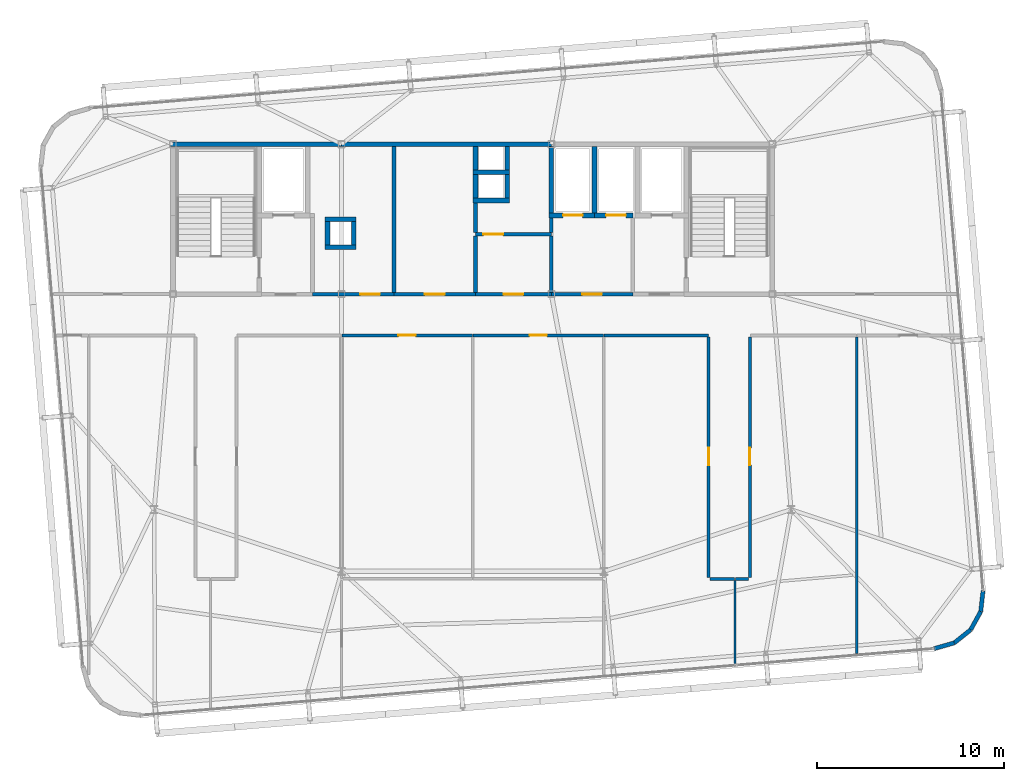
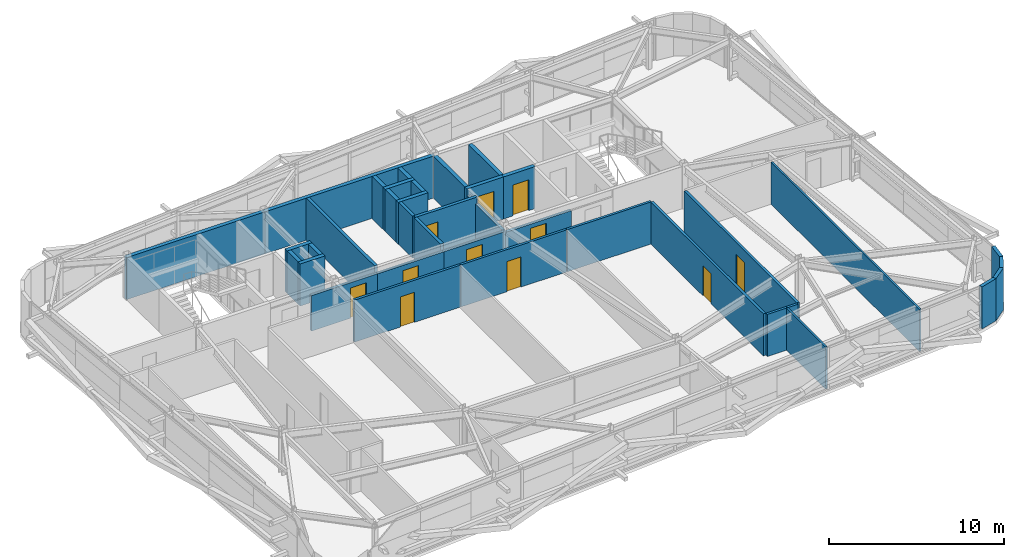
# One storey, part 36 of 39: 39 walls, 11 doors, 11 openings.
"""IFC4 building model written with IfcOpenShell, lengths in metres."""

from ifc_helpers import new_model, si_unit, direction, frame, frame_2d, origin, place, context, subcontext, project, spatial, rectangle, extrude, source, transform, mapped, material, layer, layer_set, type_object, element, fill, save


model = new_model("IFC4")

# Units and contexts
model_context = context("Model", 3, precision=1e-05, world=origin(), true_north=direction((0.0, 1.0)))
body_context = subcontext(model_context, "Body", "Model", "MODEL_VIEW")
ifc_project = project(units=[si_unit("LENGTHUNIT", "METRE"), si_unit("AREAUNIT", "SQUARE_METRE"), si_unit("VOLUMEUNIT", "CUBIC_METRE"), si_unit("PLANEANGLEUNIT", "RADIAN"), si_unit("MASSUNIT", "GRAM", prefix="KILO")], contexts=[model_context])

# Site, building, storey
site_placement = place(None, origin())
site = spatial("IfcSite", under=ifc_project, at=site_placement, CompositionType="ELEMENT")
building_placement = place(site_placement, origin())
building = spatial("IfcBuilding", under=site, at=building_placement, Name="Taldren Reach Tower", CompositionType="ELEMENT")
storey_placement = place(building_placement, frame((0.0, 0.0, 175.699951171875)))
storey = spatial("IfcBuildingStorey", under=building, at=storey_placement, Name="L53", CompositionType="ELEMENT", Elevation=175.699951171875)

# Walls
ifc_material_1 = material(Name="Pale Champagne Anodised Aluminium Cladding", Category="aluminium")
ifc_layer_1 = layer(ifc_material_1, 0.04, Name="Pale Champagne Anodised Aluminium Cladding", Category="aluminium")
ifc_material_2 = material(Name="Mineral Wool Acoustic Insulation", Category="insulation")
ifc_layer_2 = layer(ifc_material_2, 0.06, Name="Mineral Wool Acoustic Insulation", Category="insulation")
ifc_material_3 = material(Name="Steel Gr 350 (C350L0)", Category="steel")
ifc_layer_3 = layer(ifc_material_3, 0.12, Name="Steel Gr 350 (C350L0)", Category="steel")
ifc_layer_set_1 = layer_set([ifc_layer_1, ifc_layer_2, ifc_layer_3], Name="Pale Champagne Aluminium Cladding and Steel Gr 350 Stud Framing")
wall_type_1 = type_object("IfcWallType", Name="EW-CRN-220", PredefinedType="SOLIDWALL", material=ifc_layer_set_1)
shared_shape_1 = source(origin(), body_context, "Body", "SweptSolid", [
    extrude(rectangle(XDim=1.115966796875, YDim=0.219970703125, at=frame_2d((0.55810546875, 0.0))), origin(), (0.0, 0.0, 1.0), 2.929931640625),
])
for number, where, z_axis, x_axis, name in (
    (1, (59.635986328125, 5.0751953125, 0.0), (0.0, 0.0, 1.0), (0.961010464297, 0.276512002475, 0.0), "Rounded-corner pale-metal facade wall L53-SE1"),
    (2, (60.70849609375, 5.3837890625, 0.0), (0.0, 0.0, 1.0), (0.782147847222, 0.623092886403, 0.0), "Rounded-corner pale-metal facade wall L53-SE2"),
    (3, (61.581298828125, 6.0791015625, 0.0), (0.0, 0.0, 1.0), (0.483933071672, 0.875105012065, 0.0), "Rounded-corner pale-metal facade wall L53-SE3"),
    (4, (62.121337890625, 7.0556640625, 0.0), (0.0, 0.0, 1.0), (0.112448259968, 0.993657581277, 0.0), "Rounded-corner pale-metal facade wall L53-SE4"),
):
    element("IfcWall", number, at=place(storey_placement, frame(where, z_axis=z_axis, x_axis=x_axis)), inside=storey, type_object=wall_type_1, Name=name, PredefinedType="SOLIDWALL", context=body_context, shape_type="MappedRepresentation", body=[
        mapped(shared_shape_1, transform((0.0, 0.0, 0.0), scale=1.0)),
    ])

# Wall, opening, door
ifc_material_4 = material(Name="Concrete S50 (50 MPa)", Category="concrete")
ifc_layer_4 = layer(ifc_material_4, 0.199951171875)
ifc_layer_set_2 = layer_set([ifc_layer_4], Name="Concrete S50 (50 MPa)")
wall_type_2 = type_object("IfcWallType", Name="IW-CORE-200", PredefinedType="SOLIDWALL", material=ifc_layer_set_2)
shared_shape_2 = source(origin(), body_context, "Body", "SweptSolid", [
    extrude(rectangle(XDim=4.35009765625, YDim=0.199951171875, at=frame_2d((2.175048828125, 0.0))), origin(), (0.0, 0.0, 1.0), 2.469970703125),
])
wall_1_placement = place(storey_placement, frame((30.800048828125, 24.0, 0.0), z_axis=(0.0, 0.0, 1.0), x_axis=(-1.0, 0.0, 0.0)))
wall_1 = element("IfcWall", 5, at=wall_1_placement, inside=storey, type_object=wall_type_2, Name="Rear Core Shear Wall W-INT-L53-033", PredefinedType="SOLIDWALL", context=body_context, shape_type="MappedRepresentation", body=[
    mapped(shared_shape_2, transform((0.0, 0.0, 0.0), scale=1.0)),
])
shared_shape_3 = source(origin(), body_context, "Body", "SweptSolid", [
    extrude(rectangle(XDim=1.050048828125, YDim=2.10009765625, at=frame_2d((0.52490234375, 1.050048828125))), frame((0.0, 0.10986328125, 0.0), z_axis=(0.0, -1.0, 0.0), x_axis=(1.0, 0.0, 0.0)), (0.0, 0.0, 1.0), 0.219970703125),
])
opening_1_placement = place(wall_1_placement, frame((0.75, 0.0, 0.0)))
opening_1 = element("IfcOpeningElement", 6, at=opening_1_placement, cuts=wall_1, Name="Opening DF-105", PredefinedType="OPENING", context=body_context, shape_type="MappedRepresentation", body=[
    mapped(shared_shape_3, transform((0.0, 0.0, 0.0), scale=1.0)),
])
ifc_material_5 = material(Name="Fire-Rated Care and Stair Exit Door")
door_type_1 = type_object("IfcDoorType", Name="ID-FIRE-105", OperationType="NOTDEFINED", PredefinedType="DOOR", material=ifc_material_5)
shared_shape_4 = source(origin(), body_context, "Body", "SweptSolid", [
    extrude(rectangle(XDim=1.050048828125, YDim=2.10009765625, at=frame_2d((0.52490234375, 1.050048828125))), frame((0.0, 0.02490234375, 0.0), z_axis=(0.0, -1.0, 0.0), x_axis=(1.0, 0.0, 0.0)), (0.0, 0.0, 1.0), 0.050048828125),
])
door_1_placement = place(opening_1_placement, frame((1.050048828125, 0.0, 0.0), z_axis=(0.0, 0.0, 1.0), x_axis=(-1.0, 0.0, 0.0)))
door_1 = element("IfcDoor", 7, at=door_1_placement, inside=storey, type_object=door_type_1, Name="Interior Door DR-L53-006", OperationType="SINGLE_SWING_RIGHT", OverallHeight=2.10009765625, OverallWidth=1.050048828125, PredefinedType="DOOR", context=body_context, shape_type="MappedRepresentation", body=[
    mapped(shared_shape_4, transform((0.0, 0.0, 0.0), scale=1.0)),
])
fill(opening_1, door_1)

shared_shape_5 = source(origin(), body_context, "Body", "SweptSolid", [
    extrude(rectangle(XDim=4.35009765625, YDim=0.199951171875, at=frame_2d((2.175048828125, 0.0))), origin(), (0.0, 0.0, 1.0), 2.39697265625),
])
wall_2_placement = place(storey_placement, frame((43.550048828125, 24.0, 0.0), z_axis=(0.0, 0.0, 1.0), x_axis=(-1.0, 0.0, 0.0)))
wall_2 = element("IfcWall", 8, at=wall_2_placement, inside=storey, type_object=wall_type_2, Name="Rear Core Shear Wall W-INT-L53-031", PredefinedType="SOLIDWALL", context=body_context, shape_type="MappedRepresentation", body=[
    mapped(shared_shape_5, transform((0.0, 0.0, 0.0), scale=1.0)),
])
opening_2_placement = place(wall_2_placement, frame((1.64990234375, 0.0, 0.0)))
opening_2 = element("IfcOpeningElement", 9, at=opening_2_placement, cuts=wall_2, Name="Opening DF-105", PredefinedType="OPENING", context=body_context, shape_type="MappedRepresentation", body=[
    mapped(shared_shape_3, transform((0.0, 0.0, 0.0), scale=1.0)),
])
door_2_placement = place(opening_2_placement, frame((1.050048828125, 0.0, 0.0), z_axis=(0.0, 0.0, 1.0), x_axis=(-1.0, 0.0, 0.0)))
door_2 = element("IfcDoor", 10, at=door_2_placement, inside=storey, type_object=door_type_1, Name="Interior Door DR-L53-005", OperationType="SINGLE_SWING_LEFT", OverallHeight=2.10009765625, OverallWidth=1.050048828125, PredefinedType="DOOR", context=body_context, shape_type="MappedRepresentation", body=[
    mapped(shared_shape_4, transform((0.0, 0.0, 0.0), scale=1.0)),
])
fill(opening_2, door_2)

shared_shape_6 = source(origin(), body_context, "Body", "SweptSolid", [
    extrude(rectangle(XDim=4.349853515625, YDim=0.199951171875, at=frame_2d((2.1748046875, 0.0))), origin(), (0.0, 0.0, 1.0), 2.469970703125),
])
wall_3_placement = place(storey_placement, frame((35.14990234375, 24.0, 0.0), z_axis=(0.0, 0.0, 1.0), x_axis=(-1.0, 0.0, 0.0)))
wall_3 = element("IfcWall", 11, at=wall_3_placement, inside=storey, type_object=wall_type_2, Name="Rear Core Shear Wall W-INT-L53-036", PredefinedType="SOLIDWALL", context=body_context, shape_type="MappedRepresentation", body=[
    mapped(shared_shape_6, transform((0.0, 0.0, 0.0), scale=1.0)),
])
opening_3_placement = place(wall_3_placement, frame((1.64990234375, 0.0, 0.0)))
opening_3 = element("IfcOpeningElement", 12, at=opening_3_placement, cuts=wall_3, Name="Opening DF-105", PredefinedType="OPENING", context=body_context, shape_type="MappedRepresentation", body=[
    mapped(shared_shape_3, transform((0.0, 0.0, 0.0), scale=1.0)),
])
door_3_placement = place(opening_3_placement, frame((1.050048828125, 0.0, 0.0), z_axis=(0.0, 0.0, 1.0), x_axis=(-1.0, 0.0, 0.0)))
door_3 = element("IfcDoor", 13, at=door_3_placement, inside=storey, type_object=door_type_1, Name="Interior Door DR-L53-007", OperationType="SINGLE_SWING_LEFT", OverallHeight=2.10009765625, OverallWidth=1.050048828125, PredefinedType="DOOR", context=body_context, shape_type="MappedRepresentation", body=[
    mapped(shared_shape_4, transform((0.0, 0.0, 0.0), scale=1.0)),
])
fill(opening_3, door_3)

# Walls
shared_shape_7 = source(origin(), body_context, "Body", "SweptSolid", [
    extrude(rectangle(XDim=3.0, YDim=0.199951171875, at=frame_2d((1.5, 0.0))), origin(), (0.0, 0.0, 1.0), 2.469970703125),
])
wall_4_placement = place(storey_placement, frame((39.199951171875, 24.10009765625, 0.0), z_axis=(0.0, 0.0, 1.0), x_axis=(0.0, 1.0, 0.0)))
element("IfcWall", 14, at=wall_4_placement, inside=storey, type_object=wall_type_2, Name="Rear Core Shear Wall W-INT-L53-029", PredefinedType="SOLIDWALL", context=body_context, shape_type="MappedRepresentation", body=[
    mapped(shared_shape_7, transform((0.0, 0.0, 0.0), scale=1.0)),
])
ifc_material_6 = material(Name="Fire-Rated Acoustic Plasterboard Stud Wall", Category="gypsum")
ifc_layer_5 = layer(ifc_material_6, 0.159912109375)
ifc_layer_set_3 = layer_set([ifc_layer_5], Name="Fire-Rated Acoustic Plasterboard Stud Wall")
wall_type_3 = type_object("IfcWallType", Name="IW-FIRE-160", PredefinedType="PARTITIONING", material=ifc_layer_set_3)
shared_shape_8 = source(origin(), body_context, "Body", "SweptSolid", [
    extrude(rectangle(XDim=1.2998046875, YDim=0.159912109375, at=frame_2d((0.64990234375, 0.0))), origin(), (0.0, 0.0, 1.0), 2.929931640625),
])
wall_5_placement = place(storey_placement, frame((48.979736328125, 8.800048828125, 0.0), z_axis=(0.0, 0.0, 1.0), x_axis=(-1.0, 0.0, 0.0)))
element("IfcWall", 15, at=wall_5_placement, inside=storey, type_object=wall_type_3, Name="Interior Partition Wall W-INT-L53-052", PredefinedType="PARTITIONING", context=body_context, shape_type="MappedRepresentation", body=[
    mapped(shared_shape_8, transform((0.0, 0.0, 0.0), scale=1.0)),
])
shared_shape_9 = source(origin(), body_context, "Body", "SweptSolid", [
    extrude(rectangle(XDim=0.69970703125, YDim=0.159912109375, at=frame_2d((0.349853515625, 0.0))), origin(), (0.0, 0.0, 1.0), 2.929931640625),
])
wall_6_placement = place(storey_placement, frame((49.719970703125, 8.800048828125, 0.0), z_axis=(0.0, 0.0, 1.0), x_axis=(-1.0, 0.0, 0.0)))
element("IfcWall", 16, at=wall_6_placement, inside=storey, type_object=wall_type_3, Name="Interior Partition Wall W-INT-L53-055", PredefinedType="PARTITIONING", context=body_context, shape_type="MappedRepresentation", body=[
    mapped(shared_shape_9, transform((0.0, 0.0, 0.0), scale=1.0)),
])

# Wall, opening, door
shared_shape_10 = source(origin(), body_context, "Body", "SweptSolid", [
    extrude(rectangle(XDim=6.95947265625, YDim=0.159912109375, at=frame_2d((3.479736328125, 0.0))), origin(), (0.0, 0.0, 1.0), 2.929931640625),
])
wall_7_placement = place(storey_placement, frame((34.979736328125, 21.800048828125, 0.0), z_axis=(0.0, 0.0, 1.0), x_axis=(-1.0, 0.0, 0.0)))
wall_7 = element("IfcWall", 17, at=wall_7_placement, inside=storey, type_object=wall_type_3, Name="Interior Partition Wall W-INT-L53-047", PredefinedType="PARTITIONING", context=body_context, shape_type="MappedRepresentation", body=[
    mapped(shared_shape_10, transform((0.0, 0.0, 0.0), scale=1.0)),
])
shared_shape_11 = source(origin(), body_context, "Body", "SweptSolid", [
    extrude(rectangle(XDim=0.919921875, YDim=2.10009765625, at=frame_2d((0.4599609375, 1.050048828125))), frame((0.0, 0.08984375, 0.0), z_axis=(0.0, -1.0, 0.0), x_axis=(1.0, 0.0, 0.0)), (0.0, 0.0, 1.0), 0.179931640625),
])
opening_4_placement = place(wall_7_placement, frame((3.019775390625, 0.0, 0.0)))
opening_4 = element("IfcOpeningElement", 18, at=opening_4_placement, cuts=wall_7, Name="Opening DI-092", PredefinedType="OPENING", context=body_context, shape_type="MappedRepresentation", body=[
    mapped(shared_shape_11, transform((0.0, 0.0, 0.0), scale=1.0)),
])
ifc_material_7 = material(Name="Solid-Core Timber Suite Door", Category="wood")
door_type_2 = type_object("IfcDoorType", Name="ID-INT-092", OperationType="NOTDEFINED", PredefinedType="DOOR", material=ifc_material_7)
shared_shape_12 = source(origin(), body_context, "Body", "SweptSolid", [
    extrude(rectangle(XDim=0.919921875, YDim=2.10009765625, at=frame_2d((0.4599609375, 1.050048828125))), frame((0.0, 0.02490234375, 0.0), z_axis=(0.0, -1.0, 0.0), x_axis=(1.0, 0.0, 0.0)), (0.0, 0.0, 1.0), 0.050048828125),
])
door_4_placement = place(opening_4_placement, origin())
door_4 = element("IfcDoor", 19, at=door_4_placement, inside=storey, type_object=door_type_2, Name="Interior Door DR-L53-014", OperationType="SINGLE_SWING_LEFT", OverallHeight=2.10009765625, OverallWidth=0.919921875, PredefinedType="DOOR", context=body_context, shape_type="MappedRepresentation", body=[
    mapped(shared_shape_12, transform((0.0, 0.0, 0.0), scale=1.0)),
])
fill(opening_4, door_4)

wall_8_placement = place(storey_placement, frame((41.979736328125, 21.800048828125, 0.0), z_axis=(0.0, 0.0, 1.0), x_axis=(-1.0, 0.0, 0.0)))
wall_8 = element("IfcWall", 20, at=wall_8_placement, inside=storey, type_object=wall_type_3, Name="Interior Partition Wall W-INT-L53-049", PredefinedType="PARTITIONING", context=body_context, shape_type="MappedRepresentation", body=[
    mapped(shared_shape_10, transform((0.0, 0.0, 0.0), scale=1.0)),
])
opening_5_placement = place(wall_8_placement, frame((3.019775390625, 0.0, 0.0)))
opening_5 = element("IfcOpeningElement", 21, at=opening_5_placement, cuts=wall_8, Name="Opening DI-092", PredefinedType="OPENING", context=body_context, shape_type="MappedRepresentation", body=[
    mapped(shared_shape_11, transform((0.0, 0.0, 0.0), scale=1.0)),
])
door_5_placement = place(opening_5_placement, origin())
door_5 = element("IfcDoor", 22, at=door_5_placement, inside=storey, type_object=door_type_2, Name="Interior Door DR-L53-016", OperationType="SINGLE_SWING_LEFT", OverallHeight=2.10009765625, OverallWidth=0.919921875, PredefinedType="DOOR", context=body_context, shape_type="MappedRepresentation", body=[
    mapped(shared_shape_12, transform((0.0, 0.0, 0.0), scale=1.0)),
])
fill(opening_5, door_5)

# Walls
ifc_material_8 = material(Name="Concrete S65 (65 MPa)", Category="concrete")
ifc_layer_6 = layer(ifc_material_8, 0.25)
ifc_layer_set_4 = layer_set([ifc_layer_6], Name="Concrete S65 (65 MPa)")
wall_type_4 = type_object("IfcWallType", Name="IW-CORE-250", PredefinedType="SHEAR", material=ifc_layer_set_4)
shared_shape_13 = source(origin(), body_context, "Body", "SweptSolid", [
    extrude(rectangle(XDim=9.125, YDim=0.25, at=frame_2d((4.5625, 0.0))), origin(), (0.0, 0.0, 1.0), 2.929931640625),
])
wall_9_placement = place(storey_placement, frame((18.875, 32.0, 0.0), z_axis=(0.0, 0.0, 1.0), x_axis=(1.0, 0.0, 0.0)))
element("IfcWall", 23, at=wall_9_placement, inside=storey, type_object=wall_type_4, Name="Rear Core Shear Wall W-CORE-L53-NORTH1", PredefinedType="SHEAR", context=body_context, shape_type="MappedRepresentation", body=[
    mapped(shared_shape_13, transform((0.0, 0.0, 0.0), scale=1.0)),
])
shared_shape_14 = source(origin(), body_context, "Body", "SweptSolid", [
    extrude(rectangle(XDim=11.199951171875, YDim=0.25, at=frame_2d((5.60009765625, 0.0))), origin(), (0.0, 0.0, 1.0), 2.929931640625),
])
wall_10_placement = place(storey_placement, frame((28.0, 32.0, 0.0), z_axis=(0.0, 0.0, 1.0), x_axis=(1.0, 0.0, 0.0)))
element("IfcWall", 24, at=wall_10_placement, inside=storey, type_object=wall_type_4, Name="Rear Core Shear Wall W-CORE-L53-NORTH2", PredefinedType="SHEAR", context=body_context, shape_type="MappedRepresentation", body=[
    mapped(shared_shape_14, transform((0.0, 0.0, 0.0), scale=1.0)),
])
shared_shape_15 = source(origin(), body_context, "Body", "SweptSolid", [
    extrude(rectangle(XDim=3.550048828125, YDim=0.25, at=frame_2d((1.77490234375, 0.0))), origin(), (0.0, 0.0, 1.0), 2.929931640625),
])
for number, where, z_axis, x_axis, name in (
    (25, (41.5, 28.324951171875, 0.0), (0.0, 0.0, 1.0), (0.0, 1.0, 0.0), "Rear Core Shear Wall W-INT-L53-025"),
    (26, (39.199951171875, 31.875, 0.0), (0.0, 0.0, 1.0), (0.0, -1.0, 0.0), "Rear Core Shear Wall W-INT-L53-027"),
):
    element("IfcWall", number, at=place(storey_placement, frame(where, z_axis=z_axis, x_axis=x_axis)), inside=storey, type_object=wall_type_4, Name=name, PredefinedType="SHEAR", context=body_context, shape_type="MappedRepresentation", body=[
        mapped(shared_shape_15, transform((0.0, 0.0, 0.0), scale=1.0)),
    ])
shared_shape_16 = source(origin(), body_context, "Body", "SweptSolid", [
    extrude(rectangle(XDim=1.9501953125, YDim=0.25, at=frame_2d((0.97509765625, 0.0))), origin(), (0.0, 0.0, 1.0), 2.929931640625),
])
for number, where, z_axis, x_axis, name in (
    (27, (35.02490234375, 30.5, 0.0), (0.0, 0.0, 1.0), (1.0, 0.0, 0.0), "Rear Core Shear Wall W-INT-L53-015"),
    (28, (35.02490234375, 29.0, 0.0), (0.0, 0.0, 1.0), (1.0, 0.0, 0.0), "Rear Core Shear Wall W-INT-L53-019"),
):
    element("IfcWall", number, at=place(storey_placement, frame(where, z_axis=z_axis, x_axis=x_axis)), inside=storey, type_object=wall_type_4, Name=name, PredefinedType="SHEAR", context=body_context, shape_type="MappedRepresentation", body=[
        mapped(shared_shape_16, transform((0.0, 0.0, 0.0), scale=1.0)),
    ])
shared_shape_17 = source(origin(), body_context, "Body", "SweptSolid", [
    extrude(rectangle(XDim=1.25, YDim=0.25, at=frame_2d((0.625, 0.0))), origin(), (0.0, 0.0, 1.0), 2.929931640625),
])
for number, where, z_axis, x_axis, name in (
    (29, (35.14990234375, 31.875, 0.0), (0.0, 0.0, 1.0), (0.0, -1.0, 0.0), "Rear Core Shear Wall W-INT-L53-016"),
    (30, (36.85009765625, 30.625, 0.0), (0.0, 0.0, 1.0), (0.0, 1.0, 0.0), "Rear Core Shear Wall W-INT-L53-017"),
    (31, (35.14990234375, 30.375, 0.0), (0.0, 0.0, 1.0), (0.0, -1.0, 0.0), "Rear Core Shear Wall W-INT-L53-018"),
    (32, (36.85009765625, 29.125, 0.0), (0.0, 0.0, 1.0), (0.0, 1.0, 0.0), "Rear Core Shear Wall W-INT-L53-020"),
    (33, (28.64990234375, 26.625, 0.0), (0.0, 0.0, 1.0), (0.0, 1.0, 0.0), "Rear Core Shear Wall W-INT-L53-021"),
    (34, (27.25, 27.875, 0.0), (0.0, 0.0, 1.0), (0.0, -1.0, 0.0), "Rear Core Shear Wall W-INT-L53-022"),
):
    element("IfcWall", number, at=place(storey_placement, frame(where, z_axis=z_axis, x_axis=x_axis)), inside=storey, type_object=wall_type_4, Name=name, PredefinedType="SHEAR", context=body_context, shape_type="MappedRepresentation", body=[
        mapped(shared_shape_17, transform((0.0, 0.0, 0.0), scale=1.0)),
    ])
shared_shape_18 = source(origin(), body_context, "Body", "SweptSolid", [
    extrude(rectangle(XDim=1.64990234375, YDim=0.25, at=frame_2d((0.824951171875, 0.0))), origin(), (0.0, 0.0, 1.0), 2.929931640625),
])
for number, where, z_axis, x_axis, name in (
    (35, (28.77490234375, 28.0, 0.0), (0.0, 0.0, 1.0), (-1.0, 0.0, 0.0), "Rear Core Shear Wall W-INT-L53-023"),
    (36, (27.125, 26.5, 0.0), (0.0, 0.0, 1.0), (1.0, 0.0, 0.0), "Rear Core Shear Wall W-INT-L53-024"),
):
    element("IfcWall", number, at=place(storey_placement, frame(where, z_axis=z_axis, x_axis=x_axis)), inside=storey, type_object=wall_type_4, Name=name, PredefinedType="SHEAR", context=body_context, shape_type="MappedRepresentation", body=[
        mapped(shared_shape_18, transform((0.0, 0.0, 0.0), scale=1.0)),
    ])

# Wall, opening, door
shared_shape_19 = source(origin(), body_context, "Body", "SweptSolid", [
    extrude(rectangle(XDim=2.425048828125, YDim=0.25, at=frame_2d((1.21240234375, 0.0))), origin(), (0.0, 0.0, 1.0), 2.929931640625),
])
wall_11_placement = place(storey_placement, frame((39.074951171875, 28.199951171875, 0.0), z_axis=(0.0, 0.0, 1.0), x_axis=(1.0, 0.0, 0.0)))
wall_11 = element("IfcWall", 37, at=wall_11_placement, inside=storey, type_object=wall_type_4, Name="Rear Core Shear Wall W-INT-L53-026", PredefinedType="SHEAR", context=body_context, shape_type="MappedRepresentation", body=[
    mapped(shared_shape_19, transform((0.0, 0.0, 0.0), scale=1.0)),
])
shared_shape_20 = source(origin(), body_context, "Body", "SweptSolid", [
    extrude(rectangle(XDim=1.050048828125, YDim=2.14990234375, at=frame_2d((0.52490234375, 1.074951171875))), frame((0.0, 0.135009765625, 0.0), z_axis=(0.0, -1.0, 0.0), x_axis=(1.0, 0.0, 0.0)), (0.0, 0.0, 1.0), 0.27001953125),
])
opening_6_placement = place(wall_11_placement, frame((0.75, 0.0, 0.0)))
opening_6 = element("IfcOpeningElement", 38, at=opening_6_placement, cuts=wall_11, Name="Opening LD-PH1", PredefinedType="OPENING", context=body_context, shape_type="MappedRepresentation", body=[
    mapped(shared_shape_20, transform((0.0, 0.0, 0.0), scale=1.0)),
])
ifc_material_9 = material(Name="Stainless Steel Gr 316 Passenger Lift Landing Door", Category="steel")
door_type_3 = type_object("IfcDoorType", Name="LD-PAS-105", OperationType="SLIDING_TO_LEFT", PredefinedType="DOOR", material=ifc_material_9)
shared_shape_21 = source(origin(), body_context, "Body", "SweptSolid", [
    extrude(rectangle(XDim=1.050048828125, YDim=2.14990234375, at=frame_2d((0.52490234375, 1.074951171875))), frame((0.0, 0.02490234375, 0.0), z_axis=(0.0, -1.0, 0.0), x_axis=(1.0, 0.0, 0.0)), (0.0, 0.0, 1.0), 0.050048828125),
])
door_6_placement = place(opening_6_placement, origin())
door_6 = element("IfcDoor", 39, at=door_6_placement, inside=storey, type_object=door_type_3, Name="Lift Landing Door LD-PH1-L53", OperationType="SLIDING_TO_LEFT", OverallHeight=2.14990234375, OverallWidth=1.050048828125, PredefinedType="DOOR", context=body_context, shape_type="MappedRepresentation", body=[
    mapped(shared_shape_21, transform((0.0, 0.0, 0.0), scale=1.0)),
])
fill(opening_6, door_6)

shared_shape_22 = source(origin(), body_context, "Body", "SweptSolid", [
    extrude(rectangle(XDim=2.070068359375, YDim=0.25, at=frame_2d((1.03515625, 0.0))), origin(), (0.0, 0.0, 1.0), 2.929931640625),
])
wall_12_placement = place(storey_placement, frame((41.5, 28.199951171875, 0.0), z_axis=(0.0, 0.0, 1.0), x_axis=(1.0, 0.0, 0.0)))
wall_12 = element("IfcWall", 40, at=wall_12_placement, inside=storey, type_object=wall_type_4, Name="Rear Core Shear Wall W-INT-L53-028", PredefinedType="SHEAR", context=body_context, shape_type="MappedRepresentation", body=[
    mapped(shared_shape_22, transform((0.0, 0.0, 0.0), scale=1.0)),
])
opening_7_placement = place(wall_12_placement, frame((0.625, 0.0, 0.0)))
opening_7 = element("IfcOpeningElement", 41, at=opening_7_placement, cuts=wall_12, Name="Opening LD-PH2", PredefinedType="OPENING", context=body_context, shape_type="MappedRepresentation", body=[
    mapped(shared_shape_20, transform((0.0, 0.0, 0.0), scale=1.0)),
])
door_7_placement = place(opening_7_placement, origin())
door_7 = element("IfcDoor", 42, at=door_7_placement, inside=storey, type_object=door_type_3, Name="Lift Landing Door LD-PH2-L53", OperationType="SLIDING_TO_LEFT", OverallHeight=2.14990234375, OverallWidth=1.050048828125, PredefinedType="DOOR", context=body_context, shape_type="MappedRepresentation", body=[
    mapped(shared_shape_21, transform((0.0, 0.0, 0.0), scale=1.0)),
])
fill(opening_7, door_7)

# Walls
shared_shape_23 = source(origin(), body_context, "Body", "SweptSolid", [
    extrude(rectangle(XDim=0.77490234375, YDim=0.199951171875, at=frame_2d((0.387451171875, 0.0))), origin(), (0.0, 0.0, 1.0), 2.469970703125),
])
wall_13_placement = place(storey_placement, frame((39.199951171875, 27.300048828125, 0.0), z_axis=(0.0, 0.0, 1.0), x_axis=(0.0, 1.0, 0.0)))
element("IfcWall", 43, at=wall_13_placement, inside=storey, type_object=wall_type_2, Name="Rear Core Shear Wall W-INT-L53-030", PredefinedType="SOLIDWALL", context=body_context, shape_type="MappedRepresentation", body=[
    mapped(shared_shape_23, transform((0.0, 0.0, 0.0), scale=1.0)),
])
shared_shape_24 = source(origin(), body_context, "Body", "SweptSolid", [
    extrude(rectangle(XDim=7.77490234375, YDim=0.199951171875, at=frame_2d((3.887451171875, 0.0))), origin(), (0.0, 0.0, 1.0), 2.929931640625),
])
wall_14_placement = place(storey_placement, frame((30.800048828125, 31.875, 0.0), z_axis=(0.0, 0.0, 1.0), x_axis=(0.0, -1.0, 0.0)))
element("IfcWall", 44, at=wall_14_placement, inside=storey, type_object=wall_type_2, Name="Rear Core Shear Wall W-INT-L53-032", PredefinedType="SOLIDWALL", context=body_context, shape_type="MappedRepresentation", body=[
    mapped(shared_shape_24, transform((0.0, 0.0, 0.0), scale=1.0)),
])
shared_shape_25 = source(origin(), body_context, "Body", "SweptSolid", [
    extrude(rectangle(XDim=3.0, YDim=0.199951171875, at=frame_2d((1.5, 0.0))), origin(), (0.0, 0.0, 1.0), 2.929931640625),
])
wall_15_placement = place(storey_placement, frame((35.14990234375, 27.10009765625, 0.0), z_axis=(0.0, 0.0, 1.0), x_axis=(0.0, -1.0, 0.0)))
element("IfcWall", 45, at=wall_15_placement, inside=storey, type_object=wall_type_2, Name="Rear Core Shear Wall W-INT-L53-034", PredefinedType="SOLIDWALL", context=body_context, shape_type="MappedRepresentation", body=[
    mapped(shared_shape_25, transform((0.0, 0.0, 0.0), scale=1.0)),
])
shared_shape_26 = source(origin(), body_context, "Body", "SweptSolid", [
    extrude(rectangle(XDim=1.574951171875, YDim=0.199951171875, at=frame_2d((0.78759765625, 0.0))), origin(), (0.0, 0.0, 1.0), 2.929931640625),
])
wall_16_placement = place(storey_placement, frame((35.14990234375, 28.875, 0.0), z_axis=(0.0, 0.0, 1.0), x_axis=(0.0, -1.0, 0.0)))
element("IfcWall", 46, at=wall_16_placement, inside=storey, type_object=wall_type_2, Name="Rear Core Shear Wall W-INT-L53-035", PredefinedType="SOLIDWALL", context=body_context, shape_type="MappedRepresentation", body=[
    mapped(shared_shape_26, transform((0.0, 0.0, 0.0), scale=1.0)),
])

# Wall, opening, door
shared_shape_27 = source(origin(), body_context, "Body", "SweptSolid", [
    extrude(rectangle(XDim=4.050048828125, YDim=0.199951171875, at=frame_2d((2.02490234375, 0.0))), origin(), (0.0, 0.0, 1.0), 2.929931640625),
])
wall_17_placement = place(storey_placement, frame((35.14990234375, 27.199951171875, 0.0), z_axis=(0.0, 0.0, 1.0), x_axis=(1.0, 0.0, 0.0)))
wall_17 = element("IfcWall", 47, at=wall_17_placement, inside=storey, type_object=wall_type_2, Name="Rear Core Shear Wall W-INT-L53-037", PredefinedType="SOLIDWALL", context=body_context, shape_type="MappedRepresentation", body=[
    mapped(shared_shape_27, transform((0.0, 0.0, 0.0), scale=1.0)),
])
opening_8_placement = place(wall_17_placement, frame((0.419921875, 0.0, 0.0)))
opening_8 = element("IfcOpeningElement", 48, at=opening_8_placement, cuts=wall_17, Name="Opening DF-105", PredefinedType="OPENING", context=body_context, shape_type="MappedRepresentation", body=[
    mapped(shared_shape_3, transform((0.0, 0.0, 0.0), scale=1.0)),
])
door_8_placement = place(opening_8_placement, origin())
door_8 = element("IfcDoor", 49, at=door_8_placement, inside=storey, type_object=door_type_1, Name="Interior Door DR-L53-008", OperationType="SINGLE_SWING_LEFT", OverallHeight=2.10009765625, OverallWidth=1.050048828125, PredefinedType="DOOR", context=body_context, shape_type="MappedRepresentation", body=[
    mapped(shared_shape_4, transform((0.0, 0.0, 0.0), scale=1.0)),
])
fill(opening_8, door_8)

shared_shape_28 = source(origin(), body_context, "Body", "SweptSolid", [
    extrude(rectangle(XDim=4.050048828125, YDim=0.199951171875, at=frame_2d((2.02490234375, 0.0))), origin(), (0.0, 0.0, 1.0), 2.469970703125),
])
wall_18_placement = place(storey_placement, frame((39.199951171875, 24.0, 0.0), z_axis=(0.0, 0.0, 1.0), x_axis=(-1.0, 0.0, 0.0)))
wall_18 = element("IfcWall", 50, at=wall_18_placement, inside=storey, type_object=wall_type_2, Name="Rear Core Shear Wall W-INT-L53-038", PredefinedType="SOLIDWALL", context=body_context, shape_type="MappedRepresentation", body=[
    mapped(shared_shape_28, transform((0.0, 0.0, 0.0), scale=1.0)),
])
opening_9_placement = place(wall_18_placement, frame((1.5, 0.0, 0.0)))
opening_9 = element("IfcOpeningElement", 51, at=opening_9_placement, cuts=wall_18, Name="Opening DF-105", PredefinedType="OPENING", context=body_context, shape_type="MappedRepresentation", body=[
    mapped(shared_shape_3, transform((0.0, 0.0, 0.0), scale=1.0)),
])
door_9_placement = place(opening_9_placement, frame((1.050048828125, 0.0, 0.0), z_axis=(0.0, 0.0, 1.0), x_axis=(-1.0, 0.0, 0.0)))
door_9 = element("IfcDoor", 52, at=door_9_placement, inside=storey, type_object=door_type_1, Name="Interior Door DR-L53-009", OperationType="SINGLE_SWING_LEFT", OverallHeight=2.10009765625, OverallWidth=1.050048828125, PredefinedType="DOOR", context=body_context, shape_type="MappedRepresentation", body=[
    mapped(shared_shape_4, transform((0.0, 0.0, 0.0), scale=1.0)),
])
fill(opening_9, door_9)

shared_shape_29 = source(origin(), body_context, "Body", "SweptSolid", [
    extrude(rectangle(XDim=12.840087890625, YDim=0.159912109375, at=frame_2d((6.419921875, 0.0))), origin(), (0.0, 0.0, 1.0), 2.929931640625),
])
wall_19_placement = place(storey_placement, frame((47.60009765625, 8.8798828125, 0.0), z_axis=(0.0, 0.0, 1.0), x_axis=(0.0, 1.0, 0.0)))
wall_19 = element("IfcWall", 53, at=wall_19_placement, inside=storey, type_object=wall_type_3, Name="Interior Partition Wall W-INT-L53-050", PredefinedType="PARTITIONING", context=body_context, shape_type="MappedRepresentation", body=[
    mapped(shared_shape_29, transform((0.0, 0.0, 0.0), scale=1.0)),
])
opening_10_placement = place(wall_19_placement, frame((5.989990234375, 0.0, 0.0)))
opening_10 = element("IfcOpeningElement", 54, at=opening_10_placement, cuts=wall_19, Name="Opening DI-092", PredefinedType="OPENING", context=body_context, shape_type="MappedRepresentation", body=[
    mapped(shared_shape_11, transform((0.0, 0.0, 0.0), scale=1.0)),
])
door_10_placement = place(opening_10_placement, origin())
door_10 = element("IfcDoor", 55, at=door_10_placement, inside=storey, type_object=door_type_2, Name="Interior Door DR-L53-017", OperationType="SINGLE_SWING_RIGHT", OverallHeight=2.10009765625, OverallWidth=0.919921875, PredefinedType="DOOR", context=body_context, shape_type="MappedRepresentation", body=[
    mapped(shared_shape_12, transform((0.0, 0.0, 0.0), scale=1.0)),
])
fill(opening_10, door_10)

wall_20_placement = place(storey_placement, frame((49.800048828125, 21.719970703125, 0.0), z_axis=(0.0, 0.0, 1.0), x_axis=(0.0, -1.0, 0.0)))
wall_20 = element("IfcWall", 56, at=wall_20_placement, inside=storey, type_object=wall_type_3, Name="Interior Partition Wall W-INT-L53-053", PredefinedType="PARTITIONING", context=body_context, shape_type="MappedRepresentation", body=[
    mapped(shared_shape_29, transform((0.0, 0.0, 0.0), scale=1.0)),
])
opening_11_placement = place(wall_20_placement, frame((5.93017578125, 0.0, 0.0)))
opening_11 = element("IfcOpeningElement", 57, at=opening_11_placement, cuts=wall_20, Name="Opening DI-092", PredefinedType="OPENING", context=body_context, shape_type="MappedRepresentation", body=[
    mapped(shared_shape_11, transform((0.0, 0.0, 0.0), scale=1.0)),
])
door_11_placement = place(opening_11_placement, origin())
door_11 = element("IfcDoor", 58, at=door_11_placement, inside=storey, type_object=door_type_2, Name="Interior Door DR-L53-018", OperationType="SINGLE_SWING_LEFT", OverallHeight=2.10009765625, OverallWidth=0.919921875, PredefinedType="DOOR", context=body_context, shape_type="MappedRepresentation", body=[
    mapped(shared_shape_12, transform((0.0, 0.0, 0.0), scale=1.0)),
])
fill(opening_11, door_11)

# Walls
shared_shape_30 = source(origin(), body_context, "Body", "SweptSolid", [
    extrude(rectangle(XDim=5.5595703125, YDim=0.159912109375, at=frame_2d((2.77978515625, 0.0))), origin(), (0.0, 0.0, 1.0), 2.929931640625),
])
wall_21_placement = place(storey_placement, frame((47.579833984375, 21.800048828125, 0.0), z_axis=(0.0, 0.0, 1.0), x_axis=(-1.0, 0.0, 0.0)))
element("IfcWall", 59, at=wall_21_placement, inside=storey, type_object=wall_type_3, Name="Interior Partition Wall W-INT-L53-051", PredefinedType="PARTITIONING", context=body_context, shape_type="MappedRepresentation", body=[
    mapped(shared_shape_30, transform((0.0, 0.0, 0.0), scale=1.0)),
])
ifc_material_10 = material(Name="Insulated Residential Stud Partition", Category="gypsum")
ifc_layer_7 = layer(ifc_material_10, 0.1201171875)
ifc_layer_set_5 = layer_set([ifc_layer_7], Name="Insulated Residential Stud Partition")
wall_type_5 = type_object("IfcWallType", Name="IW-PART-120", PredefinedType="PARTITIONING", material=ifc_layer_set_5)
shared_shape_31 = source(origin(), body_context, "Body", "SweptSolid", [
    extrude(rectangle(XDim=4.454345703125, YDim=0.1201171875, at=frame_2d((2.22705078125, 0.0))), origin(), (0.0, 0.0, 1.0), 2.929931640625),
])
wall_22_placement = place(storey_placement, frame((49.0, 8.719970703125, 0.0), z_axis=(0.0, 0.0, 1.0), x_axis=(0.0, -1.0, 0.0)))
element("IfcWall", 60, at=wall_22_placement, inside=storey, type_object=wall_type_5, Name="Interior Partition Wall W-INT-L53-066", PredefinedType="PARTITIONING", context=body_context, shape_type="MappedRepresentation", body=[
    mapped(shared_shape_31, transform((0.0, 0.0, 0.0), scale=1.0)),
])
shared_shape_32 = source(origin(), body_context, "Body", "SweptSolid", [
    extrude(rectangle(XDim=16.908447265625, YDim=0.1201171875, at=frame_2d((8.4541015625, 0.0))), origin(), (0.0, 0.0, 1.0), 2.929931640625),
])
wall_23_placement = place(storey_placement, frame((55.5, 21.719970703125, 0.0), z_axis=(0.0, 0.0, 1.0), x_axis=(0.0, -1.0, 0.0)))
element("IfcWall", 61, at=wall_23_placement, inside=storey, type_object=wall_type_5, Name="Interior Partition Wall W-INT-L53-067", PredefinedType="PARTITIONING", context=body_context, shape_type="MappedRepresentation", body=[
    mapped(shared_shape_32, transform((0.0, 0.0, 0.0), scale=1.0)),
])

save(model, "model.ifc")
